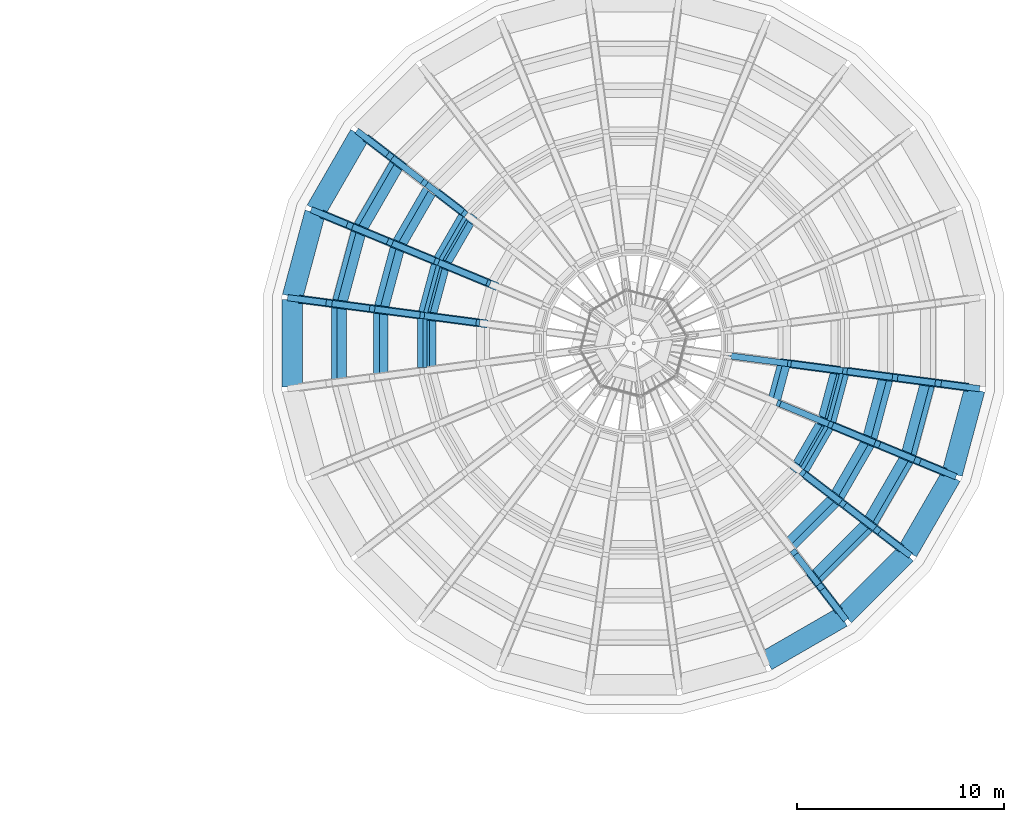
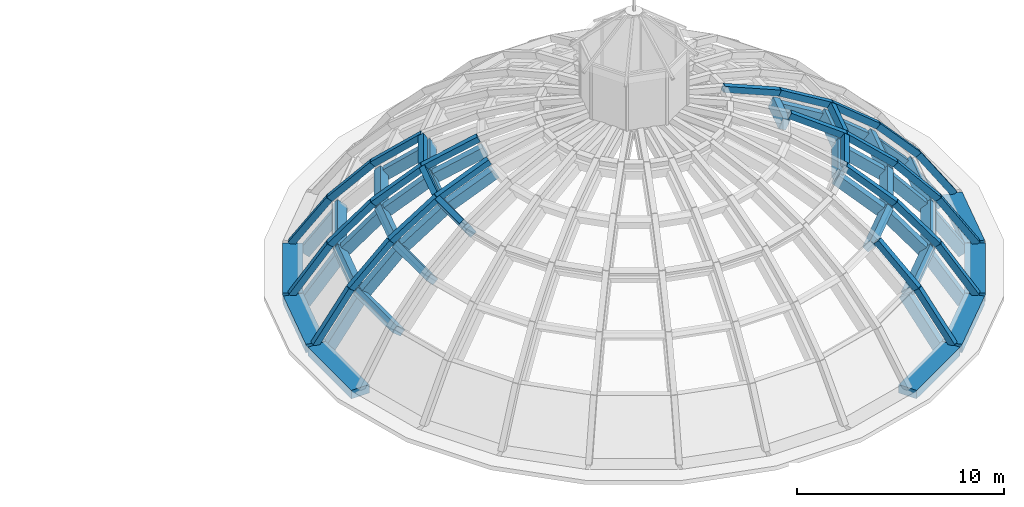
# One storey, part 13 of 29: 46 members, 30 beams.
"""IFC4 building model written with IfcOpenShell, lengths in metres."""

from ifc_helpers import new_model, si_unit, direction, frame, origin, origin_2d, place, context, subcontext, project, spatial, rectangle, extrude, material, material_profile, profile_set, type_object, element, save


model = new_model("IFC4")

# Units and contexts
model_context = context("Model", 3, precision=1e-05, world=origin(), true_north=direction((0.0, 1.0)))
body_context = subcontext(model_context, "Body", "Model", "MODEL_VIEW")
ifc_project = project(units=[si_unit("LENGTHUNIT", "METRE"), si_unit("AREAUNIT", "SQUARE_METRE"), si_unit("VOLUMEUNIT", "CUBIC_METRE"), si_unit("PLANEANGLEUNIT", "RADIAN"), si_unit("MASSUNIT", "GRAM", prefix="KILO")], contexts=[model_context])

# Site, building, storey
site_placement = place(None, origin())
site = spatial("IfcSite", under=ifc_project, at=site_placement, CompositionType="ELEMENT")
building_placement = place(site_placement, origin())
building = spatial("IfcBuilding", under=site, at=building_placement, Name="Golden Quay Civic Hall", CompositionType="ELEMENT")
storey_placement = place(building_placement, frame((0.0, 0.0, 27.0)))
storey = spatial("IfcBuildingStorey", under=building, at=storey_placement, Name="L06", CompositionType="ELEMENT", Elevation=27.0)

# Members
ifc_material_1 = material(Name="Concrete C40/50", Category="concrete")
ifc_material_profile_1 = material_profile(ifc_material_1, rectangle(XDim=0.39990234375, YDim=0.60009765625, at=origin_2d()), Name="RC 400x600")
ifc_profile_set_1 = profile_set([ifc_material_profile_1], Name="Concrete C40/50")
member_type_1 = type_object("IfcMemberType", Name="Reinforced concrete dome meridian rib 400x600", PredefinedType="STRUT", material=ifc_profile_set_1)
member_1_placement = place(storey_placement, frame((72.749755859375, 95.28369140625, -0.492919921875), z_axis=(0.440119735162, -0.337779869616, 0.831985203236), x_axis=(0.608834168329, 0.793297520149, 0.0)))
element("IfcMember", 1, at=member_1_placement, inside=storey, type_object=member_type_1, Name="Dome meridian rib 10.1", PredefinedType="STRUT", context=body_context, shape_type="SweptSolid", body=[
    extrude(rectangle(XDim=0.39990234375, YDim=0.60009765625, at=origin_2d()), origin(), (0.0, 0.0, 1.0), 3.349365234375),
])
member_2_placement = place(storey_placement, frame((75.820556640625, 92.92724609375, 4.44970703125), z_axis=(0.628298229719, -0.482109208153, 0.610583365271), x_axis=(0.608760650139, 0.793353937939, 0.0)))
element("IfcMember", 2, at=member_2_placement, inside=storey, type_object=member_type_1, Name="Dome meridian rib 10.3", PredefinedType="STRUT", context=body_context, shape_type="SweptSolid", body=[
    extrude(rectangle(XDim=0.39990234375, YDim=0.60009765625, at=origin_2d()), origin(), (0.0, 0.0, 1.0), 2.94921875),
])
member_3_placement = place(storey_placement, frame((70.65185546875, 91.650390625, -0.492919921875), z_axis=(0.512569679577, -0.212331552419, 0.831978146003), x_axis=(0.382711492988, 0.923867908922, 0.0)))
element("IfcMember", 3, at=member_3_placement, inside=storey, type_object=member_type_1, Name="Dome meridian rib 11.1", PredefinedType="STRUT", context=body_context, shape_type="SweptSolid", body=[
    extrude(rectangle(XDim=0.39990234375, YDim=0.60009765625, at=origin_2d()), origin(), (0.0, 0.0, 1.0), 3.349365234375),
])
member_4_placement = place(storey_placement, frame((72.36865234375, 90.939208984375, 2.293701171875), z_axis=(0.630425469175, -0.26115971051, 0.730998860069), x_axis=(0.382719620554, 0.923864542042, 0.0)))
element("IfcMember", 4, at=member_4_placement, inside=storey, type_object=member_type_1, Name="Dome meridian rib 11.2", PredefinedType="STRUT", context=body_context, shape_type="SweptSolid", body=[
    extrude(rectangle(XDim=0.39990234375, YDim=0.60009765625, at=origin_2d()), origin(), (0.0, 0.0, 1.0), 2.949462890625),
])
for number, where, z_axis, x_axis, name in (
    (5, (74.22802734375, 90.1689453125, 4.44970703125), (0.731680684509, -0.303052719311, 0.610575486926), (0.382662584265, 0.923888167801, 0.0), "Dome meridian rib 11.3"),
    (6, (76.385986328125, 89.275146484375, 6.25048828125), (0.813382122153, -0.336908735718, 0.474238365338), (0.382678419342, 0.923881608957, 0.0), "Dome meridian rib 11.4"),
):
    element("IfcMember", number, at=place(storey_placement, frame(where, z_axis=z_axis, x_axis=x_axis)), inside=storey, type_object=member_type_1, Name=name, PredefinedType="STRUT", context=body_context, shape_type="SweptSolid", body=[
        extrude(rectangle(XDim=0.39990234375, YDim=0.60009765625, at=origin_2d()), origin(), (0.0, 0.0, 1.0), 2.94921875),
    ])
member_5_placement = place(storey_placement, frame((69.56591796875, 87.59765625, -0.492919921875), z_axis=(0.550095894332, -0.072379120587, 0.831958995349), x_axis=(0.130451114281, 0.99145474268, 0.0)))
element("IfcMember", 7, at=member_5_placement, inside=storey, type_object=member_type_1, Name="Dome meridian rib 12.1", PredefinedType="STRUT", context=body_context, shape_type="SweptSolid", body=[
    extrude(rectangle(XDim=0.39990234375, YDim=0.60009765625, at=origin_2d()), origin(), (0.0, 0.0, 1.0), 3.349365234375),
])
member_6_placement = place(storey_placement, frame((71.408447265625, 87.355224609375, 2.293701171875), z_axis=(0.676536070137, -0.089068005808, 0.731003307889), x_axis=(0.130526685544, 0.991444796426, 0.0)))
element("IfcMember", 8, at=member_6_placement, inside=storey, type_object=member_type_1, Name="Dome meridian rib 12.2", PredefinedType="STRUT", context=body_context, shape_type="SweptSolid", body=[
    extrude(rectangle(XDim=0.39990234375, YDim=0.60009765625, at=origin_2d()), origin(), (0.0, 0.0, 1.0), 2.949462890625),
])
member_7_placement = place(storey_placement, frame((73.40380859375, 87.092529296875, 4.44970703125), z_axis=(0.785170814657, -0.103392551134, 0.61058723552), x_axis=(0.130554556385, 0.991441126748, 0.0)))
element("IfcMember", 9, at=member_7_placement, inside=storey, type_object=member_type_1, Name="Dome meridian rib 12.3", PredefinedType="STRUT", context=body_context, shape_type="SweptSolid", body=[
    extrude(rectangle(XDim=0.39990234375, YDim=0.60009765625, at=origin_2d()), origin(), (0.0, 0.0, 1.0), 2.94921875),
])
member_8_placement = place(storey_placement, frame((75.719482421875, 86.78759765625, 6.25048828125), z_axis=(0.87287480647, -0.114893336309, 0.474224728902), x_axis=(0.130500722737, 0.991448214162, 0.0)))
element("IfcMember", 10, at=member_8_placement, inside=storey, type_object=member_type_1, Name="Dome meridian rib 12.4", PredefinedType="STRUT", context=body_context, shape_type="SweptSolid", body=[
    extrude(rectangle(XDim=0.39990234375, YDim=0.60009765625, at=origin_2d()), origin(), (0.0, 0.0, 1.0), 2.949462890625),
])
for number, where, z_axis, x_axis, name in (
    (11, (95.28369140625, 72.749755859375, -0.492919921875), (-0.337779869616, 0.440119735162, 0.831985203236), (-0.793297520149, -0.608834168329, 0.0), "Dome meridian rib 21.1"),
    (12, (98.250244140625, 75.71630859375, -0.492919921875), (-0.440119735162, 0.337779869616, 0.831985203236), (-0.608834168329, -0.793297520149, 0.0), "Dome meridian rib 22.1"),
):
    element("IfcMember", number, at=place(storey_placement, frame(where, z_axis=z_axis, x_axis=x_axis)), inside=storey, type_object=member_type_1, Name=name, PredefinedType="STRUT", context=body_context, shape_type="SweptSolid", body=[
        extrude(rectangle(XDim=0.39990234375, YDim=0.60009765625, at=origin_2d()), origin(), (0.0, 0.0, 1.0), 3.349365234375),
    ])
member_9_placement = place(storey_placement, frame((96.776123046875, 76.84765625, 2.293701171875), z_axis=(-0.541368312037, 0.415380151346, 0.731012777309), x_axis=(-0.608737109833, -0.793372000459, 0.0)))
element("IfcMember", 13, at=member_9_placement, inside=storey, type_object=member_type_1, Name="Dome meridian rib 22.2", PredefinedType="STRUT", context=body_context, shape_type="SweptSolid", body=[
    extrude(rectangle(XDim=0.39990234375, YDim=0.60009765625, at=origin_2d()), origin(), (0.0, 0.0, 1.0), 2.949462890625),
])
member_10_placement = place(storey_placement, frame((95.179443359375, 78.07275390625, 4.44970703125), z_axis=(-0.628298229719, 0.482109208153, 0.610583365271), x_axis=(-0.608760650139, -0.793353937939, 0.0)))
element("IfcMember", 14, at=member_10_placement, inside=storey, type_object=member_type_1, Name="Dome meridian rib 22.3", PredefinedType="STRUT", context=body_context, shape_type="SweptSolid", body=[
    extrude(rectangle(XDim=0.39990234375, YDim=0.60009765625, at=origin_2d()), origin(), (0.0, 0.0, 1.0), 2.94921875),
])
member_11_placement = place(storey_placement, frame((100.34814453125, 79.349609375, -0.492919921875), z_axis=(-0.512569679577, 0.212331552419, 0.831978146003), x_axis=(-0.382711492988, -0.923867908922, 0.0)))
element("IfcMember", 15, at=member_11_placement, inside=storey, type_object=member_type_1, Name="Dome meridian rib 23.1", PredefinedType="STRUT", context=body_context, shape_type="SweptSolid", body=[
    extrude(rectangle(XDim=0.39990234375, YDim=0.60009765625, at=origin_2d()), origin(), (0.0, 0.0, 1.0), 3.349365234375),
])
member_12_placement = place(storey_placement, frame((98.63134765625, 80.060791015625, 2.293701171875), z_axis=(-0.630425469175, 0.26115971051, 0.730998860069), x_axis=(-0.382719620554, -0.923864542042, 0.0)))
element("IfcMember", 16, at=member_12_placement, inside=storey, type_object=member_type_1, Name="Dome meridian rib 23.2", PredefinedType="STRUT", context=body_context, shape_type="SweptSolid", body=[
    extrude(rectangle(XDim=0.39990234375, YDim=0.60009765625, at=origin_2d()), origin(), (0.0, 0.0, 1.0), 2.949462890625),
])
member_13_placement = place(storey_placement, frame((96.77197265625, 80.8310546875, 4.44970703125), z_axis=(-0.731680684509, 0.303052719311, 0.610575486926), x_axis=(-0.382662584265, -0.923888167801, 0.0)))
element("IfcMember", 17, at=member_13_placement, inside=storey, type_object=member_type_1, Name="Dome meridian rib 23.3", PredefinedType="STRUT", context=body_context, shape_type="SweptSolid", body=[
    extrude(rectangle(XDim=0.39990234375, YDim=0.60009765625, at=origin_2d()), origin(), (0.0, 0.0, 1.0), 2.94921875),
])
member_14_placement = place(storey_placement, frame((101.43408203125, 83.40234375, -0.492919921875), z_axis=(-0.550095894332, 0.072379120587, 0.831958995349), x_axis=(-0.130451114281, -0.99145474268, 0.0)))
element("IfcMember", 18, at=member_14_placement, inside=storey, type_object=member_type_1, Name="Dome meridian rib 24.1", PredefinedType="STRUT", context=body_context, shape_type="SweptSolid", body=[
    extrude(rectangle(XDim=0.39990234375, YDim=0.60009765625, at=origin_2d()), origin(), (0.0, 0.0, 1.0), 3.349365234375),
])
member_15_placement = place(storey_placement, frame((99.591552734375, 83.644775390625, 2.293701171875), z_axis=(-0.676536070137, 0.089068005808, 0.731003307889), x_axis=(-0.130526685544, -0.991444796426, 0.0)))
element("IfcMember", 19, at=member_15_placement, inside=storey, type_object=member_type_1, Name="Dome meridian rib 24.2", PredefinedType="STRUT", context=body_context, shape_type="SweptSolid", body=[
    extrude(rectangle(XDim=0.39990234375, YDim=0.60009765625, at=origin_2d()), origin(), (0.0, 0.0, 1.0), 2.949462890625),
])
member_16_placement = place(storey_placement, frame((97.59619140625, 83.907470703125, 4.44970703125), z_axis=(-0.785170814657, 0.103392551134, 0.61058723552), x_axis=(-0.130554556385, -0.991441126748, 0.0)))
element("IfcMember", 20, at=member_16_placement, inside=storey, type_object=member_type_1, Name="Dome meridian rib 24.3", PredefinedType="STRUT", context=body_context, shape_type="SweptSolid", body=[
    extrude(rectangle(XDim=0.39990234375, YDim=0.60009765625, at=origin_2d()), origin(), (0.0, 0.0, 1.0), 2.94921875),
])
member_17_placement = place(storey_placement, frame((95.280517578125, 84.21240234375, 6.25048828125), z_axis=(-0.87287480647, 0.114893336309, 0.474224728902), x_axis=(-0.130500722737, -0.991448214162, 0.0)))
element("IfcMember", 21, at=member_17_placement, inside=storey, type_object=member_type_1, Name="Dome meridian rib 24.4", PredefinedType="STRUT", context=body_context, shape_type="SweptSolid", body=[
    extrude(rectangle(XDim=0.39990234375, YDim=0.60009765625, at=origin_2d()), origin(), (0.0, 0.0, 1.0), 2.949462890625),
])
ifc_material_2 = material(Name="Concrete C40/50", Category="concrete")
ifc_material_profile_2 = material_profile(ifc_material_2, rectangle(XDim=0.300048828125, YDim=0.35009765625, at=origin_2d()), Name="RC 300x350")
ifc_profile_set_2 = profile_set([ifc_material_profile_2], Name="Concrete C40/50")
member_type_2 = type_object("IfcMemberType", Name="Reinforced concrete dome outer rib 300x350", PredefinedType="STRUT", material=ifc_profile_set_2)
member_18_placement = place(storey_placement, frame((72.2353515625, 95.678466796875, -0.01904296875), z_axis=(0.440142253946, -0.337798707205, 0.83196564214), x_axis=(0.608835932152, 0.79329616646, 0.0)))
element("IfcMember", 22, at=member_18_placement, inside=storey, type_object=member_type_2, Name="Dome outer rib 10.1", PredefinedType="STRUT", context=body_context, shape_type="SweptSolid", body=[
    extrude(rectangle(XDim=0.300048828125, YDim=0.35009765625, at=origin_2d()), origin(), (0.0, 0.0, 1.0), 3.38037109375),
])
for number, where, z_axis, x_axis, name in (
    (23, (73.72314453125, 94.53662109375, 2.793212890625), (0.541402717932, -0.415384518325, 0.730984814447), (0.60871678742, 0.793387592991, 0.0), "Dome outer rib 10.2"),
    (24, (75.390869140625, 93.257080078125, 5.044921875), (0.628218722093, -0.482062360304, 0.610702151618), (0.608771905455, 0.793345301321, 0.0), "Dome outer rib 10.3"),
):
    element("IfcMember", number, at=place(storey_placement, frame(where, z_axis=z_axis, x_axis=x_axis)), inside=storey, type_object=member_type_2, Name=name, PredefinedType="STRUT", context=body_context, shape_type="SweptSolid", body=[
        extrude(rectangle(XDim=0.300048828125, YDim=0.35009765625, at=origin_2d()), origin(), (0.0, 0.0, 1.0), 3.080322265625),
    ])
member_19_placement = place(storey_placement, frame((70.052978515625, 91.8984375, -0.01904296875), z_axis=(0.512584648384, -0.212343083873, 0.831965980658), x_axis=(0.382719693499, 0.923864511824, 0.0)))
element("IfcMember", 25, at=member_19_placement, inside=storey, type_object=member_type_2, Name="Dome outer rib 11.1", PredefinedType="STRUT", context=body_context, shape_type="SweptSolid", body=[
    extrude(rectangle(XDim=0.300048828125, YDim=0.35009765625, at=origin_2d()), origin(), (0.0, 0.0, 1.0), 3.38037109375),
])
for number, where, z_axis, x_axis, name in (
    (26, (71.78564453125, 91.1806640625, 2.793212890625), (0.630422877415, -0.261157075821, 0.731002036509), (0.382717667995, 0.923865350906, 0.0), "Dome outer rib 11.2"),
    (27, (73.7275390625, 90.376220703125, 5.044921875), (0.731620375695, -0.302999100453, 0.61067435757), (0.382631713297, 0.923900953555, 0.0), "Dome outer rib 11.3"),
    (28, (75.981201171875, 89.44287109375, 6.926025390625), (0.813437047625, -0.336930808677, 0.474128463304), (0.382677762475, 0.923881881036, 0.0), "Dome outer rib 11.4"),
):
    element("IfcMember", number, at=place(storey_placement, frame(where, z_axis=z_axis, x_axis=x_axis)), inside=storey, type_object=member_type_2, Name=name, PredefinedType="STRUT", context=body_context, shape_type="SweptSolid", body=[
        extrude(rectangle(XDim=0.300048828125, YDim=0.35009765625, at=origin_2d()), origin(), (0.0, 0.0, 1.0), 3.080322265625),
    ])
member_20_placement = place(storey_placement, frame((68.923095703125, 87.682373046875, -0.01904296875), z_axis=(0.550122287018, -0.072439628972, 0.831936277296), x_axis=(0.130552155343, 0.991441442918, 0.0)))
element("IfcMember", 29, at=member_20_placement, inside=storey, type_object=member_type_2, Name="Dome outer rib 12.1", PredefinedType="STRUT", context=body_context, shape_type="SweptSolid", body=[
    extrude(rectangle(XDim=0.300048828125, YDim=0.35009765625, at=origin_2d()), origin(), (0.0, 0.0, 1.0), 3.38037109375),
])
for number, where, z_axis, x_axis, name in (
    (30, (70.78271484375, 87.4375, 2.793212890625), (0.67654387731, -0.089085674566, 0.730993929292), (0.130550656476, 0.991441640286, 0.0), "Dome outer rib 12.2"),
    (31, (72.86669921875, 87.1630859375, 5.044921875), (0.78511246059, -0.10335015633, 0.610669443655), (0.130511470467, 0.991446799418, 0.0), "Dome outer rib 12.3"),
):
    element("IfcMember", number, at=place(storey_placement, frame(where, z_axis=z_axis, x_axis=x_axis)), inside=storey, type_object=member_type_2, Name=name, PredefinedType="STRUT", context=body_context, shape_type="SweptSolid", body=[
        extrude(rectangle(XDim=0.300048828125, YDim=0.35009765625, at=origin_2d()), origin(), (0.0, 0.0, 1.0), 3.080322265625),
    ])
member_21_placement = place(storey_placement, frame((75.28515625, 86.8447265625, 6.926025390625), z_axis=(0.872912973044, -0.114929974658, 0.474145592005), x_axis=(0.130536018623, 0.991443567654, 0.0)))
element("IfcMember", 32, at=member_21_placement, inside=storey, type_object=member_type_2, Name="Dome outer rib 12.4", PredefinedType="STRUT", context=body_context, shape_type="SweptSolid", body=[
    extrude(rectangle(XDim=0.300048828125, YDim=0.35009765625, at=origin_2d()), origin(), (0.0, 0.0, 1.0), 3.080078125),
])
member_22_placement = place(storey_placement, frame((95.678466796875, 72.2353515625, -0.01904296875), z_axis=(-0.337798707205, 0.440142253946, 0.83196564214), x_axis=(-0.79329616646, -0.608835932152, 0.0)))
element("IfcMember", 33, at=member_22_placement, inside=storey, type_object=member_type_2, Name="Dome outer rib 21.1", PredefinedType="STRUT", context=body_context, shape_type="SweptSolid", body=[
    extrude(rectangle(XDim=0.300048828125, YDim=0.35009765625, at=origin_2d()), origin(), (0.0, 0.0, 1.0), 3.38037109375),
])
member_23_placement = place(storey_placement, frame((94.53662109375, 73.72314453125, 2.793212890625), z_axis=(-0.415384518325, 0.541402717932, 0.730984814447), x_axis=(-0.793387592991, -0.60871678742, 0.0)))
element("IfcMember", 34, at=member_23_placement, inside=storey, type_object=member_type_2, Name="Dome outer rib 21.2", PredefinedType="STRUT", context=body_context, shape_type="SweptSolid", body=[
    extrude(rectangle(XDim=0.300048828125, YDim=0.35009765625, at=origin_2d()), origin(), (0.0, 0.0, 1.0), 3.080322265625),
])
member_24_placement = place(storey_placement, frame((98.7646484375, 75.321533203125, -0.01904296875), z_axis=(-0.440142253946, 0.337798707205, 0.83196564214), x_axis=(-0.608835932152, -0.79329616646, 0.0)))
element("IfcMember", 35, at=member_24_placement, inside=storey, type_object=member_type_2, Name="Dome outer rib 22.1", PredefinedType="STRUT", context=body_context, shape_type="SweptSolid", body=[
    extrude(rectangle(XDim=0.300048828125, YDim=0.35009765625, at=origin_2d()), origin(), (0.0, 0.0, 1.0), 3.38037109375),
])
for number, where, z_axis, x_axis, name in (
    (36, (97.27685546875, 76.46337890625, 2.793212890625), (-0.541402717932, 0.415384518325, 0.730984814447), (-0.60871678742, -0.793387592991, 0.0), "Dome outer rib 22.2"),
    (37, (95.609130859375, 77.742919921875, 5.044921875), (-0.628218722093, 0.482062360304, 0.610702151618), (-0.608771905455, -0.793345301321, 0.0), "Dome outer rib 22.3"),
):
    element("IfcMember", number, at=place(storey_placement, frame(where, z_axis=z_axis, x_axis=x_axis)), inside=storey, type_object=member_type_2, Name=name, PredefinedType="STRUT", context=body_context, shape_type="SweptSolid", body=[
        extrude(rectangle(XDim=0.300048828125, YDim=0.35009765625, at=origin_2d()), origin(), (0.0, 0.0, 1.0), 3.080322265625),
    ])
member_25_placement = place(storey_placement, frame((100.947021484375, 79.1015625, -0.01904296875), z_axis=(-0.512584648384, 0.212343083873, 0.831965980658), x_axis=(-0.382719693499, -0.923864511824, 0.0)))
element("IfcMember", 38, at=member_25_placement, inside=storey, type_object=member_type_2, Name="Dome outer rib 23.1", PredefinedType="STRUT", context=body_context, shape_type="SweptSolid", body=[
    extrude(rectangle(XDim=0.300048828125, YDim=0.35009765625, at=origin_2d()), origin(), (0.0, 0.0, 1.0), 3.38037109375),
])
for number, where, z_axis, x_axis, name in (
    (39, (99.21435546875, 79.8193359375, 2.793212890625), (-0.630422877415, 0.261157075821, 0.731002036509), (-0.382717667995, -0.923865350906, 0.0), "Dome outer rib 23.2"),
    (40, (97.2724609375, 80.623779296875, 5.044921875), (-0.731620375695, 0.302999100453, 0.61067435757), (-0.382631713297, -0.923900953555, 0.0), "Dome outer rib 23.3"),
    (41, (95.018798828125, 81.55712890625, 6.926025390625), (-0.813437047625, 0.336930808677, 0.474128463304), (-0.382677762475, -0.923881881036, 0.0), "Dome outer rib 23.4"),
):
    element("IfcMember", number, at=place(storey_placement, frame(where, z_axis=z_axis, x_axis=x_axis)), inside=storey, type_object=member_type_2, Name=name, PredefinedType="STRUT", context=body_context, shape_type="SweptSolid", body=[
        extrude(rectangle(XDim=0.300048828125, YDim=0.35009765625, at=origin_2d()), origin(), (0.0, 0.0, 1.0), 3.080322265625),
    ])
member_26_placement = place(storey_placement, frame((102.076904296875, 83.317626953125, -0.01904296875), z_axis=(-0.550122287018, 0.072439628972, 0.831936277296), x_axis=(-0.130552155343, -0.991441442918, 0.0)))
element("IfcMember", 42, at=member_26_placement, inside=storey, type_object=member_type_2, Name="Dome outer rib 24.1", PredefinedType="STRUT", context=body_context, shape_type="SweptSolid", body=[
    extrude(rectangle(XDim=0.300048828125, YDim=0.35009765625, at=origin_2d()), origin(), (0.0, 0.0, 1.0), 3.38037109375),
])
for number, where, z_axis, x_axis, name in (
    (43, (100.21728515625, 83.5625, 2.793212890625), (-0.67654387731, 0.089085674566, 0.730993929292), (-0.130550656476, -0.991441640286, 0.0), "Dome outer rib 24.2"),
    (44, (98.13330078125, 83.8369140625, 5.044921875), (-0.78511246059, 0.10335015633, 0.610669443655), (-0.130511470467, -0.991446799418, 0.0), "Dome outer rib 24.3"),
):
    element("IfcMember", number, at=place(storey_placement, frame(where, z_axis=z_axis, x_axis=x_axis)), inside=storey, type_object=member_type_2, Name=name, PredefinedType="STRUT", context=body_context, shape_type="SweptSolid", body=[
        extrude(rectangle(XDim=0.300048828125, YDim=0.35009765625, at=origin_2d()), origin(), (0.0, 0.0, 1.0), 3.080322265625),
    ])
member_27_placement = place(storey_placement, frame((95.71484375, 84.1552734375, 6.926025390625), z_axis=(-0.872912973044, 0.114929974658, 0.474145592005), x_axis=(-0.130536018623, -0.991443567654, 0.0)))
element("IfcMember", 45, at=member_27_placement, inside=storey, type_object=member_type_2, Name="Dome outer rib 24.4", PredefinedType="STRUT", context=body_context, shape_type="SweptSolid", body=[
    extrude(rectangle(XDim=0.300048828125, YDim=0.35009765625, at=origin_2d()), origin(), (0.0, 0.0, 1.0), 3.080078125),
])
member_28_placement = place(storey_placement, frame((93.026123046875, 84.50927734375, 8.386474609375), z_axis=(-0.937591847923, 0.123400719122, 0.325105812357), x_axis=(-0.130489199571, -0.991449730846, 0.0)))
element("IfcMember", 46, at=member_28_placement, inside=storey, type_object=member_type_2, Name="Dome outer rib 24.5", PredefinedType="STRUT", context=body_context, shape_type="SweptSolid", body=[
    extrude(rectangle(XDim=0.300048828125, YDim=0.35009765625, at=origin_2d()), origin(), (0.0, 0.0, 1.0), 3.080322265625),
])

# Beams
ifc_material_3 = material(Name="Concrete C40/50", Category="concrete")
ifc_material_profile_3 = material_profile(ifc_material_3, rectangle(XDim=0.300048828125, YDim=0.35009765625, at=origin_2d()), Name="RC 300x350")
ifc_profile_set_3 = profile_set([ifc_material_profile_3], Name="Concrete C40/50")
beam_type_1 = type_object("IfcBeamType", Name="Reinforced concrete dome outer ring beam 300x350", PredefinedType="BEAM", material=ifc_profile_set_3)
beam_1_placement = place(storey_placement, frame((77.245361328125, 91.63232421875, 6.926025390625), z_axis=(-0.499966512588, -0.866044736887, 0.0), x_axis=(0.726568168277, -0.419446868942, 0.544208618988)))
element("IfcBeam", 47, at=beam_1_placement, inside=storey, type_object=beam_type_1, Name="Dome outer ring beam segment 10", PredefinedType="BEAM", context=body_context, shape_type="SweptSolid", body=[
    extrude(rectangle(XDim=0.300048828125, YDim=0.35009765625, at=origin_2d()), origin(), (0.0, 0.0, 1.0), 2.366943359375),
])
for number, where, z_axis, x_axis, name in (
    (48, (75.939453125, 89.287109375, 6.926025390625), (-0.258760142299, -0.965941607323, 0.0), (0.810376640378, -0.217086802339, 0.544208618988), "Dome outer ring beam segment 11"),
    (49, (75.28515625, 86.68359375, 6.926025390625), (0.0, -1.0, 0.0), (0.838949926408, 0.0, 0.544208618988), "Dome outer ring beam segment 12"),
):
    element("IfcBeam", number, at=place(storey_placement, frame(where, z_axis=z_axis, x_axis=x_axis)), inside=storey, type_object=beam_type_1, Name=name, PredefinedType="BEAM", context=body_context, shape_type="SweptSolid", body=[
        extrude(rectangle(XDim=0.300048828125, YDim=0.35009765625, at=origin_2d()), origin(), (0.0, 0.0, 1.0), 2.3671875),
    ])
beam_2_placement = place(storey_placement, frame((93.754638671875, 79.36767578125, 6.926025390625), z_axis=(0.499966512588, 0.866044736887, 0.0), x_axis=(-0.726568168277, 0.419446868942, 0.544208618988)))
element("IfcBeam", 50, at=beam_2_placement, inside=storey, type_object=beam_type_1, Name="Dome outer ring beam segment 22", PredefinedType="BEAM", context=body_context, shape_type="SweptSolid", body=[
    extrude(rectangle(XDim=0.300048828125, YDim=0.35009765625, at=origin_2d()), origin(), (0.0, 0.0, 1.0), 2.366943359375),
])
beam_3_placement = place(storey_placement, frame((95.060546875, 81.712890625, 6.926025390625), z_axis=(0.258760142299, 0.965941607323, 0.0), x_axis=(-0.810376640378, 0.217086802339, 0.544208618988)))
element("IfcBeam", 51, at=beam_3_placement, inside=storey, type_object=beam_type_1, Name="Dome outer ring beam segment 23", PredefinedType="BEAM", context=body_context, shape_type="SweptSolid", body=[
    extrude(rectangle(XDim=0.300048828125, YDim=0.35009765625, at=origin_2d()), origin(), (0.0, 0.0, 1.0), 2.3671875),
])
ifc_material_4 = material(Name="Concrete C40/50", Category="concrete")
ifc_material_profile_4 = material_profile(ifc_material_4, rectangle(XDim=0.39990234375, YDim=0.60009765625, at=origin_2d()), Name="RC 400x600")
ifc_profile_set_4 = profile_set([ifc_material_profile_4], Name="Concrete C40/50")
beam_type_2 = type_object("IfcBeamType", Name="Reinforced concrete dome ring rib 400x600", PredefinedType="BEAM", material=ifc_profile_set_4)
for number, where, z_axis, x_axis, name in (
    (52, (74.112060546875, 94.23828125, 2.405517578125), (-0.500042033332, -0.866001134469, 0.0), (0.537492889806, -0.310356449688, 0.784079248256), "Dome ring rib 1.10"),
    (53, (72.23828125, 90.9931640625, 2.405517578125), (-0.258781677402, -0.965935838159, 0.0), (0.599518435201, -0.160615622866, 0.784079248256), "Dome ring rib 1.11"),
):
    element("IfcBeam", number, at=place(storey_placement, frame(where, z_axis=z_axis, x_axis=x_axis)), inside=storey, type_object=beam_type_2, Name=name, PredefinedType="BEAM", context=body_context, shape_type="SweptSolid", body=[
        extrude(rectangle(XDim=0.39990234375, YDim=0.60009765625, at=origin_2d()), origin(), (0.0, 0.0, 1.0), 3.747314453125),
    ])
for number, where, z_axis, x_axis, name in (
    (54, (71.2685546875, 87.37353515625, 2.405517578125), (0.0, -1.0, 0.0), (0.6206607225, 0.0, 0.784079248256), "Dome ring rib 1.12"),
    (55, (94.23828125, 74.112060546875, 2.405517578125), (0.707106781187, 0.707106781187, 0.0), (-0.438873405696, 0.438873405696, 0.784079248256), "Dome ring rib 1.21"),
):
    element("IfcBeam", number, at=place(storey_placement, frame(where, z_axis=z_axis, x_axis=x_axis)), inside=storey, type_object=beam_type_2, Name=name, PredefinedType="BEAM", context=body_context, shape_type="SweptSolid", body=[
        extrude(rectangle(XDim=0.39990234375, YDim=0.60009765625, at=origin_2d()), origin(), (0.0, 0.0, 1.0), 3.7470703125),
    ])
for number, where, z_axis, x_axis, name in (
    (56, (96.887939453125, 76.76171875, 2.405517578125), (0.500042033332, 0.866001134469, 0.0), (-0.537492889806, 0.310356449688, 0.784079248256), "Dome ring rib 1.22"),
    (57, (98.76171875, 80.0068359375, 2.405517578125), (0.258781677402, 0.965935838159, 0.0), (-0.599518435201, 0.160615622866, 0.784079248256), "Dome ring rib 1.23"),
):
    element("IfcBeam", number, at=place(storey_placement, frame(where, z_axis=z_axis, x_axis=x_axis)), inside=storey, type_object=beam_type_2, Name=name, PredefinedType="BEAM", context=body_context, shape_type="SweptSolid", body=[
        extrude(rectangle(XDim=0.39990234375, YDim=0.60009765625, at=origin_2d()), origin(), (0.0, 0.0, 1.0), 3.747314453125),
    ])
for number, where, z_axis, x_axis, name in (
    (58, (75.724609375, 93.0009765625, 4.582763671875), (-0.500024672494, -0.866011158645, 0.0), (0.640497246114, -0.369815587852, 0.673052530418), "Dome ring rib 2.10"),
    (59, (74.1162109375, 90.21533203125, 4.582763671875), (-0.25882460971, -0.96592433524, 0.0), (0.714392500027, -0.191425304502, 0.673052530418), "Dome ring rib 2.11"),
):
    element("IfcBeam", number, at=place(storey_placement, frame(where, z_axis=z_axis, x_axis=x_axis)), inside=storey, type_object=beam_type_2, Name=name, PredefinedType="BEAM", context=body_context, shape_type="SweptSolid", body=[
        extrude(rectangle(XDim=0.39990234375, YDim=0.60009765625, at=origin_2d()), origin(), (0.0, 0.0, 1.0), 3.216552734375),
    ])
beam_4_placement = place(storey_placement, frame((73.28369140625, 87.1083984375, 4.582763671875), z_axis=(0.0, -1.0, 0.0), x_axis=(0.739594680415, 0.0, 0.673052530418)))
element("IfcBeam", 60, at=beam_4_placement, inside=storey, type_object=beam_type_2, Name="Dome ring rib 2.12", PredefinedType="BEAM", context=body_context, shape_type="SweptSolid", body=[
    extrude(rectangle(XDim=0.39990234375, YDim=0.60009765625, at=origin_2d()), origin(), (0.0, 0.0, 1.0), 3.216796875),
])
for number, where, z_axis, x_axis, name in (
    (61, (93.0009765625, 75.724609375, 4.582763671875), (0.707106781187, 0.707106781187, 0.0), (-0.522972413851, 0.522972413851, 0.673052530418), "Dome ring rib 2.21"),
    (62, (95.275390625, 77.9990234375, 4.582763671875), (0.500024672494, 0.866011158645, 0.0), (-0.640497246114, 0.369815587852, 0.673052530418), "Dome ring rib 2.22"),
    (63, (96.8837890625, 80.78466796875, 4.582763671875), (0.25882460971, 0.96592433524, 0.0), (-0.714392500027, 0.191425304502, 0.673052530418), "Dome ring rib 2.23"),
):
    element("IfcBeam", number, at=place(storey_placement, frame(where, z_axis=z_axis, x_axis=x_axis)), inside=storey, type_object=beam_type_2, Name=name, PredefinedType="BEAM", context=body_context, shape_type="SweptSolid", body=[
        extrude(rectangle(XDim=0.39990234375, YDim=0.60009765625, at=origin_2d()), origin(), (0.0, 0.0, 1.0), 3.216552734375),
    ])
beam_5_placement = place(storey_placement, frame((77.595947265625, 91.565185546875, 6.401611328125), z_axis=(-0.500025795397, -0.866010510293, 0.0), x_axis=(0.726539453879, -0.41949660425, 0.544208618988)))
element("IfcBeam", 64, at=beam_5_placement, inside=storey, type_object=beam_type_2, Name="Dome ring rib 3.10", PredefinedType="BEAM", context=body_context, shape_type="SweptSolid", body=[
    extrude(rectangle(XDim=0.39990234375, YDim=0.60009765625, at=origin_2d()), origin(), (0.0, 0.0, 1.0), 2.600830078125),
])
beam_6_placement = place(storey_placement, frame((76.29541015625, 89.312744140625, 6.401611328125), z_axis=(-0.258778310437, -0.965936740189, 0.0), x_axis=(0.810372557096, -0.217102044497, 0.544208618988)))
element("IfcBeam", 65, at=beam_6_placement, inside=storey, type_object=beam_type_2, Name="Dome ring rib 3.11", PredefinedType="BEAM", context=body_context, shape_type="SweptSolid", body=[
    extrude(rectangle(XDim=0.39990234375, YDim=0.60009765625, at=origin_2d()), origin(), (0.0, 0.0, 1.0), 2.60107421875),
])
beam_7_placement = place(storey_placement, frame((75.622314453125, 86.80029296875, 6.401611328125), z_axis=(0.0, -1.0, 0.0), x_axis=(0.838949926408, 0.0, 0.544208618988)))
element("IfcBeam", 66, at=beam_7_placement, inside=storey, type_object=beam_type_2, Name="Dome ring rib 3.12", PredefinedType="BEAM", context=body_context, shape_type="SweptSolid", body=[
    extrude(rectangle(XDim=0.39990234375, YDim=0.60009765625, at=origin_2d()), origin(), (0.0, 0.0, 1.0), 2.6005859375),
])
beam_8_placement = place(storey_placement, frame((93.404052734375, 79.434814453125, 6.401611328125), z_axis=(0.500025795397, 0.866010510293, 0.0), x_axis=(-0.726539453879, 0.41949660425, 0.544208618988)))
element("IfcBeam", 67, at=beam_8_placement, inside=storey, type_object=beam_type_2, Name="Dome ring rib 3.22", PredefinedType="BEAM", context=body_context, shape_type="SweptSolid", body=[
    extrude(rectangle(XDim=0.39990234375, YDim=0.60009765625, at=origin_2d()), origin(), (0.0, 0.0, 1.0), 2.600830078125),
])
beam_9_placement = place(storey_placement, frame((94.70458984375, 81.687255859375, 6.401611328125), z_axis=(0.258778310437, 0.965936740189, 0.0), x_axis=(-0.810372557096, 0.217102044497, 0.544208618988)))
element("IfcBeam", 68, at=beam_9_placement, inside=storey, type_object=beam_type_2, Name="Dome ring rib 3.23", PredefinedType="BEAM", context=body_context, shape_type="SweptSolid", body=[
    extrude(rectangle(XDim=0.39990234375, YDim=0.60009765625, at=origin_2d()), origin(), (0.0, 0.0, 1.0), 2.60107421875),
])
beam_10_placement = place(storey_placement, frame((92.28173828125, 82.69091796875, 7.81396484375), z_axis=(0.258748821383, 0.965944639942, 0.0), x_axis=(-0.884898317134, 0.237038839633, 0.40095829813)))
element("IfcBeam", 69, at=beam_10_placement, inside=storey, type_object=beam_type_2, Name="Dome ring rib 4.23", PredefinedType="BEAM", context=body_context, shape_type="SweptSolid", body=[
    extrude(rectangle(XDim=0.39990234375, YDim=0.60009765625, at=origin_2d()), origin(), (0.0, 0.0, 1.0), 1.916259765625),
])
ifc_material_5 = material(Name="Concrete C40/50", Category="concrete")
ifc_material_profile_5 = material_profile(ifc_material_5, rectangle(XDim=1.0, YDim=0.5, at=origin_2d()), Name="RC 1000x500")
ifc_profile_set_5 = profile_set([ifc_material_profile_5], Name="Concrete C40/50")
beam_type_3 = type_object("IfcBeamType", Name="Reinforced concrete springing ring beam 1000x500", PredefinedType="BEAM", material=ifc_profile_set_5)
for number, where, z_axis, x_axis, name in (
    (70, (72.263916015625, 95.57421875, -0.25), (-0.500003371769, -0.866023457084, 0.0), (0.866023457084, -0.500003371769, 0.0), "Dome springing ring segment 10"),
    (71, (70.107421875, 91.80517578125, -0.25), (-0.258809467323, -0.965928392597, 0.0), (0.965928392597, -0.258809467323, 0.0), "Dome springing ring segment 11"),
    (72, (69.0, 87.6064453125, -0.25), (0.0, -1.0, 0.0), (1.0, 0.0, 0.0), "Dome springing ring segment 12"),
    (73, (91.92578125, 70.157470703125, -0.25), (0.866023457084, 0.500003371769, 0.0), (-0.500003371769, 0.866023457084, 0.0), "Dome springing ring segment 20"),
    (74, (95.677734375, 72.34326171875, -0.25), (0.707106781187, 0.707106781187, 0.0), (-0.707106781187, 0.707106781187, 0.0), "Dome springing ring segment 21"),
    (75, (98.736083984375, 75.42578125, -0.25), (0.500003371769, 0.866023457084, 0.0), (-0.866023457084, 0.500003371769, 0.0), "Dome springing ring segment 22"),
    (76, (100.892578125, 79.19482421875, -0.25), (0.258809467323, 0.965928392597, 0.0), (-0.965928392597, 0.258809467323, 0.0), "Dome springing ring segment 23"),
):
    element("IfcBeam", number, at=place(storey_placement, frame(where, z_axis=z_axis, x_axis=x_axis)), inside=storey, type_object=beam_type_3, Name=name, PredefinedType="BEAM", context=body_context, shape_type="SweptSolid", body=[
        extrude(rectangle(XDim=1.0, YDim=0.5, at=origin_2d()), origin(), (0.0, 0.0, 1.0), 4.212890625),
    ])

save(model, "model.ifc")
